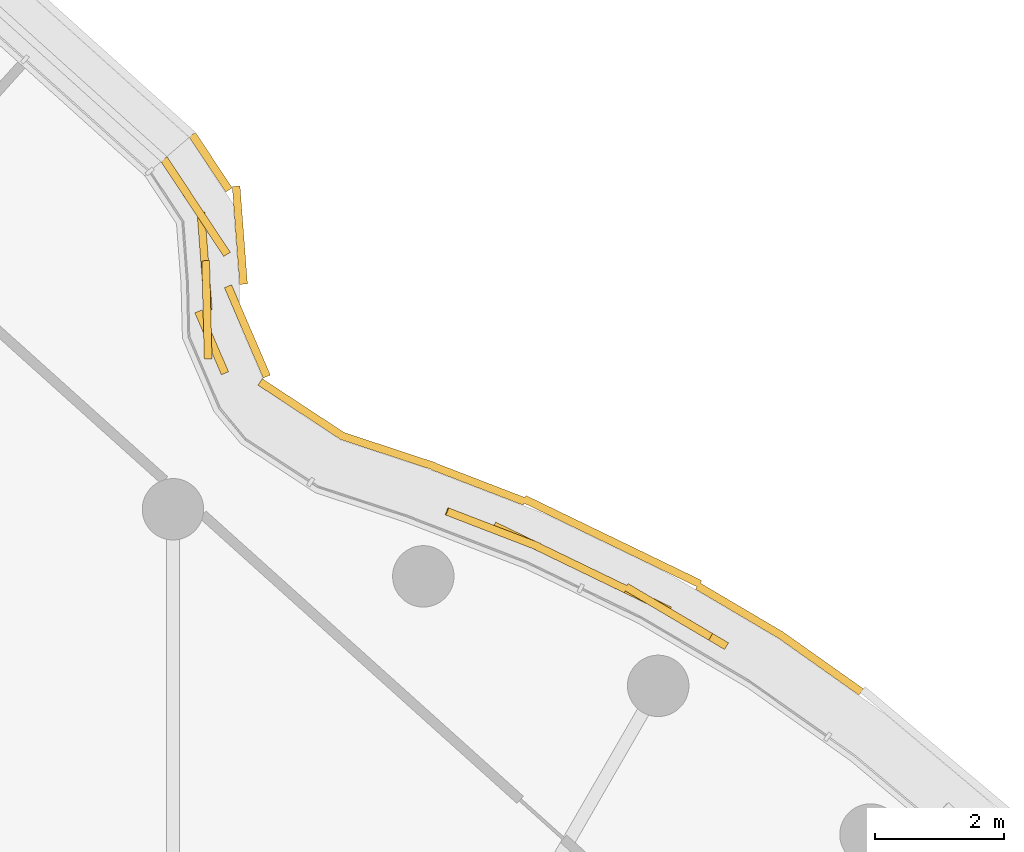
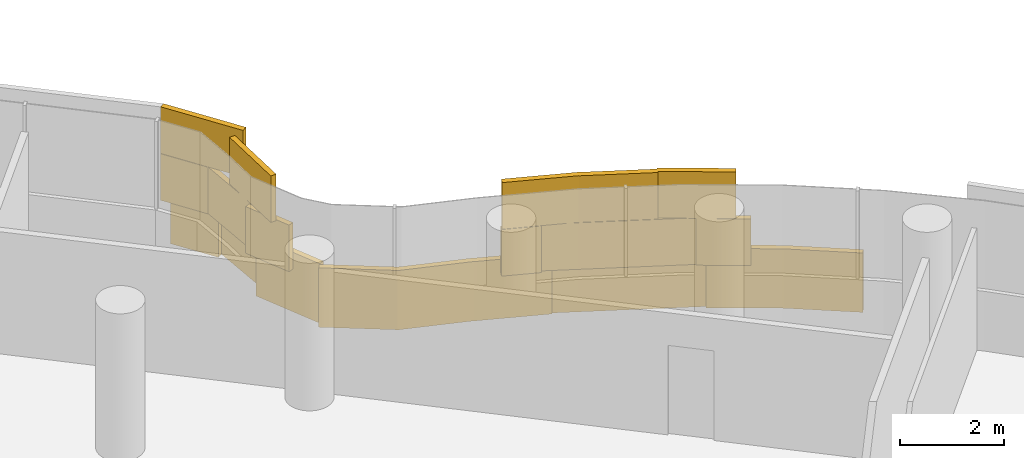
# One storey, part 30 of 31: 1 covering.
"""IFC4 building model written with IfcOpenShell, lengths in metres."""

import ifcopenshell
import ifcopenshell.guid

model = None  # the IFC model being written
_history = None  # IfcOwnerHistory: only IFC2X3 demands one
_inside = {}  # id of a spatial element -> (the spatial element, [elements in it])
_under = {}  # id of a project, library or spatial element -> (it, [spatial elements below it])
_declared = {}  # id of a project -> (the project, [libraries it declares])
_typed = {}  # id of a type object -> (the type object, [elements of that type])
_made_of = {}  # id of a material, layer set ... -> (it, [elements and type objects made of it])


def new_model(schema):
    """Start an empty IFC model of exactly this schema.

    Asked for "IFC4X3", IfcOpenShell would pick the latest addendum, in which some entities
    have other attributes; the version numbers below select the first issue.
    IFC2X3 requires an IfcOwnerHistory on every rooted entity: one is made here for all.
    """
    global model, _history
    if schema == "IFC4X3":
        model = ifcopenshell.file(schema_version=(4, 3, 0, 0))
    else:
        model = ifcopenshell.file(schema=schema)
    _inside.clear()
    _under.clear()
    _declared.clear()
    _typed.clear()
    _made_of.clear()
    _history = None
    if model.schema == "IFC2X3":
        org = make("IfcOrganization", Name="unknown")
        user = make(
            "IfcPersonAndOrganization",
            ThePerson=make("IfcPerson", FamilyName="unknown"),
            TheOrganization=org,
        )
        app = make(
            "IfcApplication",
            ApplicationDeveloper=org,
            Version="unknown",
            ApplicationFullName="unknown",
            ApplicationIdentifier="unknown",
        )
        _history = make(
            "IfcOwnerHistory",
            OwningUser=user,
            OwningApplication=app,
            ChangeAction="ADDED",
            CreationDate=0,
        )
    return model


def make(cls, **values):
    """One entity of the class cls with the attributes given. An attribute that is None is left unset."""
    return model.create_entity(
        cls, **{name: value for name, value in values.items() if value is not None}
    )


def rooted(cls, **values):
    """An entity with a GlobalId (a new one), such as an element, a storey or a relation."""
    return make(cls, GlobalId=ifcopenshell.guid.new(), OwnerHistory=_history, **values)


def si_unit(unit_type, name, prefix=None):
    """IfcSIUnit, for example si_unit("LENGTHUNIT", "METRE", prefix="MILLI")."""
    return make("IfcSIUnit", UnitType=unit_type, Prefix=prefix, Name=name)


def assignment(units):
    """IfcUnitAssignment: the units of a project."""
    return None if units is None else make("IfcUnitAssignment", Units=units)


def point(xyz):
    """IfcCartesianPoint."""
    return None if xyz is None else make("IfcCartesianPoint", Coordinates=xyz)


def direction(xyz):
    """IfcDirection."""
    return None if xyz is None else make("IfcDirection", DirectionRatios=xyz)


def frame(location, z_axis=None, x_axis=None):
    """IfcAxis2Placement3D, a coordinate frame: its origin and axes. An axis left out is left unset."""
    return make(
        "IfcAxis2Placement3D",
        Location=point(location),
        Axis=direction(z_axis),
        RefDirection=direction(x_axis),
    )


def frame_2d(location, x_axis=None):
    """IfcAxis2Placement2D, a coordinate frame in the plane: its origin and x axis."""
    return make(
        "IfcAxis2Placement2D", Location=point(location), RefDirection=direction(x_axis)
    )


def origin():
    """The frame at (0, 0, 0) with its axes left unset."""
    return frame((0.0, 0.0, 0.0))


def origin_2d():
    """The frame at (0, 0) in the plane with its x axis left unset."""
    return frame_2d((0.0, 0.0))


def place(relative_to, where):
    """IfcLocalPlacement: puts the frame where relative to a parent placement (None: the world)."""
    return make(
        "IfcLocalPlacement", PlacementRelTo=relative_to, RelativePlacement=where
    )


def context(
    kind, dimensions, precision=None, world=None, true_north=None, identifier=None
):
    """IfcGeometricRepresentationContext, for example the 3D "Model" context."""
    return make(
        "IfcGeometricRepresentationContext",
        ContextIdentifier=identifier,
        ContextType=kind,
        CoordinateSpaceDimension=dimensions,
        Precision=precision,
        WorldCoordinateSystem=world,
        TrueNorth=true_north,
    )


def subcontext(parent, identifier, kind, view, scale=None):
    """IfcGeometricRepresentationSubContext, for example "Body" below "Model"."""
    return make(
        "IfcGeometricRepresentationSubContext",
        ContextIdentifier=identifier,
        ContextType=kind,
        ParentContext=parent,
        TargetScale=scale,
        TargetView=view,
    )


def project(units=None, contexts=None):
    """IfcProject with its units and contexts."""
    return rooted(
        "IfcProject",
        Name="project",
        RepresentationContexts=contexts,
        UnitsInContext=assignment(units),
    )


def spatial(cls, under=None, at=None, **own):
    """A site, building, storey or space (cls), placed at a placement, below another one or the project."""
    s = rooted(cls, ObjectPlacement=at, **own)
    if under is not None:
        _under.setdefault(under.id(), (under, []))[1].append(s)
    return s


def profile(cls, at=None, kind="AREA", **sizes):
    """A parametric profile (cls). Its sizes go by their IFC names, for example OverallWidth=200.0."""
    return make(cls, ProfileType=kind, Position=at, **sizes)


def rectangle(**sizes):
    """IfcRectangleProfileDef."""
    return profile("IfcRectangleProfileDef", **sizes)


def extrude(swept, where, along, depth):
    """IfcExtrudedAreaSolid: the profile swept, set in the frame where, extruded along a direction by depth."""
    return make(
        "IfcExtrudedAreaSolid",
        SweptArea=swept,
        Position=where,
        ExtrudedDirection=direction(along),
        Depth=depth,
    )


def shape(context_of_items, identifier, shape_type, items):
    """IfcShapeRepresentation: the items that make up one representation, for example the "Body"."""
    return make(
        "IfcShapeRepresentation",
        ContextOfItems=context_of_items,
        RepresentationIdentifier=identifier,
        RepresentationType=shape_type,
        Items=items,
    )


def material(Name=None, Category=None):
    """IfcMaterial."""
    return make("IfcMaterial", Name=Name, Category=Category)


def layer(
    of_material, thickness, ventilated=None, Name=None, Category=None, Priority=None
):
    """IfcMaterialLayer: one layer of a wall or slab, of a material (None: an air gap)."""
    return make(
        "IfcMaterialLayer",
        Material=of_material,
        LayerThickness=thickness,
        IsVentilated=ventilated,
        Name=Name,
        Category=Category,
        Priority=Priority,
    )


def layer_set(layers, Name=None):
    """IfcMaterialLayerSet."""
    return make("IfcMaterialLayerSet", MaterialLayers=layers, LayerSetName=Name)


def made_of(thing, what):
    """Note that an element or type object is made of a material, layer set ...; save() writes the relation."""
    if what is not None:
        _made_of.setdefault(what.id(), (what, []))[1].append(thing)
    return thing


def type_object(cls, material=None, **own):
    """A type object (cls), such as IfcWallType, which elements share."""
    return made_of(rooted(cls, **own), material)


def element(
    cls,
    number,
    at=None,
    inside=None,
    cuts=None,
    type_object=None,
    material=None,
    context=None,
    identifier="Body",
    shape_type=None,
    held_by="IfcProductDefinitionShape",
    body=None,
    shapes=None,
    **own,
):
    """One element of the class cls, such as IfcWall. Its Tag is "e" and its number.

    at: its placement. inside: the storey or other place that contains it. cuts: it is an
    opening in that element (IfcRelVoidsElement). A single representation is given by context,
    identifier, shape_type and body (its items); several are given by shapes. held_by: the class
    of the entity that holds the representations. save() writes the other relations.
    """
    e = rooted(cls, Tag="e%d" % number, ObjectPlacement=at, **own)
    if body is not None:
        shapes = [shape(context, identifier, shape_type, body)]
    if shapes is not None:
        e.Representation = make(held_by, Representations=shapes)
    if inside is not None:
        _inside.setdefault(inside.id(), (inside, []))[1].append(e)
    if cuts is not None:
        rooted(
            "IfcRelVoidsElement", RelatingBuildingElement=cuts, RelatedOpeningElement=e
        )
    if type_object is not None:
        _typed.setdefault(type_object.id(), (type_object, []))[1].append(e)
    return made_of(e, material)


def aggregate(whole, parts):
    """IfcRelAggregates: a whole, such as a stair, and the parts it consists of."""
    return rooted("IfcRelAggregates", RelatingObject=whole, RelatedObjects=parts)


def save(model, path):
    """Write the relations noted so far, then the file.

    IfcRelAggregates (storeys below a building ...), IfcRelContainedInSpatialStructure (elements
    in a storey), IfcRelDefinesByType, IfcRelAssociatesMaterial and IfcRelDeclares: one each for
    every whole, place, type object, material and project.
    """
    for whole, parts in _under.values():
        aggregate(whole, parts)
    for where, things in _inside.values():
        rooted(
            "IfcRelContainedInSpatialStructure",
            RelatedElements=things,
            RelatingStructure=where,
        )
    for kind, things in _typed.values():
        rooted("IfcRelDefinesByType", RelatedObjects=things, RelatingType=kind)
    for what, things in _made_of.values():
        rooted("IfcRelAssociatesMaterial", RelatedObjects=things, RelatingMaterial=what)
    for by, libraries in _declared.values():
        rooted("IfcRelDeclares", RelatingContext=by, RelatedDefinitions=libraries)
    model.write(path)


model = new_model("IFC4")

# Units and contexts
model_context = context("Model", 3, precision=1e-05, world=origin(), true_north=direction((0.0, 1.0)))
body_context = subcontext(model_context, "Body", "Model", "MODEL_VIEW")
ifc_project = project(units=[si_unit("LENGTHUNIT", "METRE"), si_unit("AREAUNIT", "SQUARE_METRE"), si_unit("VOLUMEUNIT", "CUBIC_METRE"), si_unit("PLANEANGLEUNIT", "RADIAN"), si_unit("MASSUNIT", "GRAM", prefix="KILO")], contexts=[model_context])

# Site, building, storey
site_placement = place(None, origin())
site = spatial("IfcSite", under=ifc_project, at=site_placement, CompositionType="ELEMENT")
building_placement = place(site_placement, origin())
building = spatial("IfcBuilding", under=site, at=building_placement, Name="Tamarind Cross Interchange Tower", CompositionType="ELEMENT")
storey_placement = place(building_placement, frame((0.0, 0.0, 207.699951171875)))
storey = spatial("IfcBuildingStorey", under=building, at=storey_placement, Name="L52", CompositionType="ELEMENT", Elevation=207.699951171875)

# Covering
ifc_material = material(Name="Terracotta", Category="masonry")
ifc_layer = layer(ifc_material, 0.1201171875)
ifc_layer_set = layer_set([ifc_layer], Name="Terracotta")
covering_type = type_object("IfcCoveringType", Name="Terracotta baguette screen unit", PredefinedType="MOLDING", material=ifc_layer_set)
covering_placement = place(storey_placement, origin())
element("IfcCovering", 1, at=covering_placement, inside=storey, type_object=covering_type, Name="SCR-L52-06-05", PredefinedType="MOLDING", context=body_context, shape_type="SweptSolid", body=[
    extrude(rectangle(XDim=1.051025390625, YDim=0.1201171875, at=origin_2d()), frame((12.105224609375, 20.7998046875, 1.40380859375), z_axis=(0.0, 0.0, 1.0), x_axis=(-0.861248933065, 0.508183308752, 0.0)), (0.0, 0.0, 1.0), 1.092041015625),
    extrude(rectangle(XDim=1.52001953125, YDim=0.1201171875, at=origin_2d()), frame((10.99462890625, 21.414794921875, 1.40380859375), z_axis=(0.0, 0.0, 1.0), x_axis=(-0.900272776334, 0.435326231914, 0.0)), (0.0, 0.0, 1.0), 1.092041015625),
    extrude(rectangle(XDim=1.52001953125, YDim=0.1201171875, at=origin_2d()), frame((9.644287109375, 22.06787109375, 1.40380859375), z_axis=(0.0, 0.0, 1.0), x_axis=(-0.900272776334, 0.435326231914, 0.0)), (0.0, 0.0, 1.0), 1.092041015625),
    extrude(rectangle(XDim=0.778076171875, YDim=0.1201171875, at=origin_2d()), frame((8.58837890625, 22.48095703125, 1.40380859375), z_axis=(0.0, 0.0, 1.0), x_axis=(-0.933146843667, 0.359495435512, 0.0)), (0.0, 0.0, 1.0), 1.092041015625),
    extrude(rectangle(XDim=1.0419921875, YDim=0.1201171875, at=origin_2d()), frame((4.5927734375, 25.233642578125, 1.40380859375), z_axis=(0.0, 0.0, 1.0), x_axis=(-0.394598346457, 0.918853712499, 0.0)), (0.0, 0.0, 1.0), 1.092041015625),
    extrude(rectangle(XDim=1.52001953125, YDim=0.1201171875, at=origin_2d()), frame((4.484130859375, 26.485107421875, 1.40380859375), z_axis=(0.0, 0.0, 1.0), x_axis=(-0.075950393023, 0.997111597465, 0.0)), (0.0, 0.0, 1.0), 1.092041015625),
    extrude(rectangle(XDim=1.017578125, YDim=0.1201171875, at=origin_2d()), frame((4.133056640625, 27.6474609375, 1.40380859375), z_axis=(0.0, 0.0, 1.0), x_axis=(-0.551827493222, 0.833958282964, 0.0)), (0.0, 0.0, 1.0), 1.092041015625),
    extrude(rectangle(XDim=1.52001953125, YDim=0.1201171875, at=origin_2d()), frame((11.656982421875, 21.064208984375, 2.50390625), z_axis=(0.0, 0.0, 1.0), x_axis=(-0.861248933065, 0.508183308752, 0.0)), (0.0, 0.0, 1.0), 1.092041015625),
    extrude(rectangle(XDim=1.52001953125, YDim=0.1201171875, at=origin_2d()), frame((10.3193359375, 21.741455078125, 2.50390625), z_axis=(0.0, 0.0, 1.0), x_axis=(-0.900272776334, 0.435326231914, 0.0)), (0.0, 0.0, 1.0), 1.092041015625),
    extrude(rectangle(XDim=1.52001953125, YDim=0.1201171875, at=origin_2d()), frame((8.94677734375, 22.3427734375, 2.50390625), z_axis=(0.0, 0.0, 1.0), x_axis=(-0.933146843667, 0.359495435512, 0.0)), (0.0, 0.0, 1.0), 1.092041015625),
    extrude(rectangle(XDim=1.52001953125, YDim=0.1201171875, at=origin_2d()), frame((4.51904296875, 25.736083984375, 2.50390625), z_axis=(0.0, 0.0, 1.0), x_axis=(-0.025437230605, 0.999676421298, 0.0)), (0.0, 0.0, 1.0), 1.092041015625),
    extrude(rectangle(XDim=1.52001953125, YDim=0.1201171875, at=origin_2d()), frame((4.4111328125, 27.2275390625, 2.50390625), z_axis=(0.0, 0.0, 1.0), x_axis=(-0.551827493222, 0.833958282964, 0.0)), (0.0, 0.0, 1.0), 1.092041015625),
    extrude(rectangle(XDim=0.267578125, YDim=0.1201171875, at=origin_2d()), frame((3.92626953125, 27.960205078125, 2.50390625), z_axis=(0.0, 0.0, 1.0), x_axis=(-0.551827493222, 0.833958282964, 0.0)), (0.0, 0.0, 1.0), 1.092041015625),
    extrude(rectangle(XDim=1.52001953125, YDim=0.1201171875, at=origin_2d()), frame((14.02001953125, 20.263427734375, 0.00390625), z_axis=(0.0, 0.0, 1.0), x_axis=(-0.816341886298, 0.577568978284, 0.0)), (0.0, 0.0, 1.0), 1.39208984375),
    extrude(rectangle(XDim=1.52001953125, YDim=0.1201171875, at=origin_2d()), frame((12.76220703125, 21.07861328125, 0.00390625), z_axis=(0.0, 0.0, 1.0), x_axis=(-0.861248933065, 0.508183308752, 0.0)), (0.0, 0.0, 1.0), 1.39208984375),
    extrude(rectangle(XDim=1.52001953125, YDim=0.1201171875, at=origin_2d()), frame((11.462646484375, 21.826171875, 0.00390625), z_axis=(0.0, 0.0, 1.0), x_axis=(-0.900272776334, 0.435326231914, 0.0)), (0.0, 0.0, 1.0), 1.39208984375),
    extrude(rectangle(XDim=1.52001953125, YDim=0.1201171875, at=origin_2d()), frame((10.112060546875, 22.479248046875, 0.00390625), z_axis=(0.0, 0.0, 1.0), x_axis=(-0.900272776334, 0.435326231914, 0.0)), (0.0, 0.0, 1.0), 1.39208984375),
    extrude(rectangle(XDim=1.52001953125, YDim=0.1201171875, at=origin_2d()), frame((8.723388671875, 23.0439453125, 0.00390625), z_axis=(0.0, 0.0, 1.0), x_axis=(-0.933146843667, 0.359495435512, 0.0)), (0.0, 0.0, 1.0), 1.39208984375),
    extrude(rectangle(XDim=1.52001953125, YDim=0.1201171875, at=origin_2d()), frame((7.313232421875, 23.5537109375, 0.00390625), z_axis=(0.0, 0.0, 1.0), x_axis=(-0.949687661057, 0.313198573491, 0.0)), (0.0, 0.0, 1.0), 1.39208984375),
    extrude(rectangle(XDim=1.52001953125, YDim=0.1201171875, at=origin_2d()), frame((5.97607421875, 24.204345703125, 0.00390625), z_axis=(0.0, 0.0, 1.0), x_axis=(-0.835753158715, 0.549105324776, 0.0)), (0.0, 0.0, 1.0), 1.39208984375),
    extrude(rectangle(XDim=1.52001953125, YDim=0.1201171875, at=origin_2d()), frame((5.14501953125, 25.40234375, 0.00390625), z_axis=(0.0, 0.0, 1.0), x_axis=(-0.394598346457, 0.918853712499, 0.0)), (0.0, 0.0, 1.0), 1.39208984375),
    extrude(rectangle(XDim=1.52001953125, YDim=0.1201171875, at=origin_2d()), frame((5.02880859375, 26.890869140625, 0.00390625), z_axis=(0.0, 0.0, 1.0), x_axis=(-0.075950393023, 0.997111597465, 0.0)), (0.0, 0.0, 1.0), 1.39208984375),
    extrude(rectangle(XDim=1.026123046875, YDim=0.1201171875, at=origin_2d()), frame((4.576416015625, 28.017822265625, 0.00390625), z_axis=(0.0, 0.0, 1.0), x_axis=(-0.551827493222, 0.833958282964, 0.0)), (0.0, 0.0, 1.0), 1.39208984375),
])

save(model, "model.ifc")
